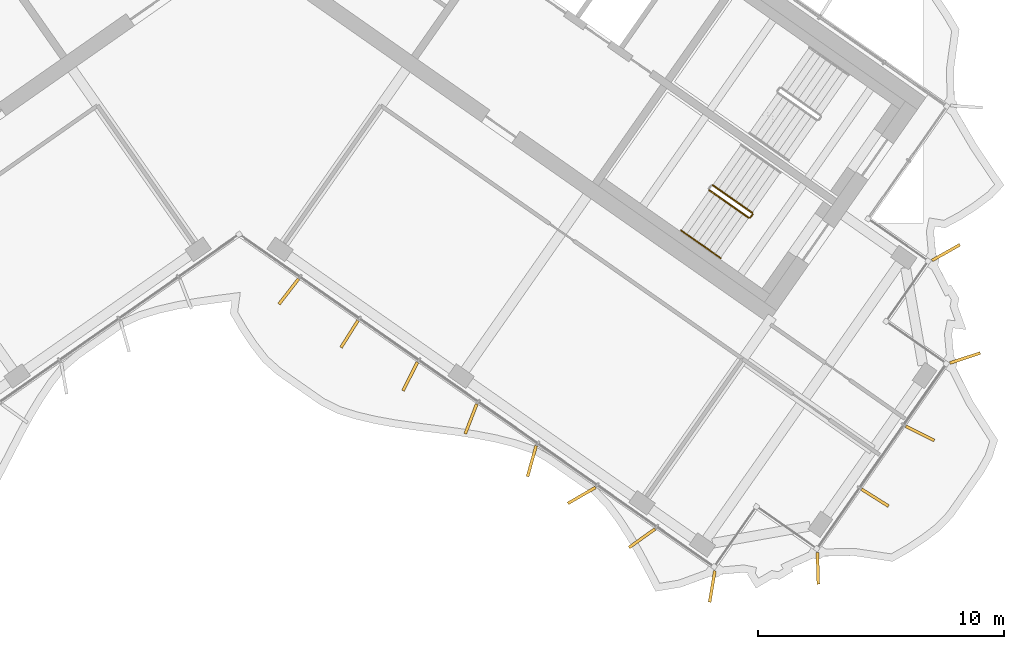
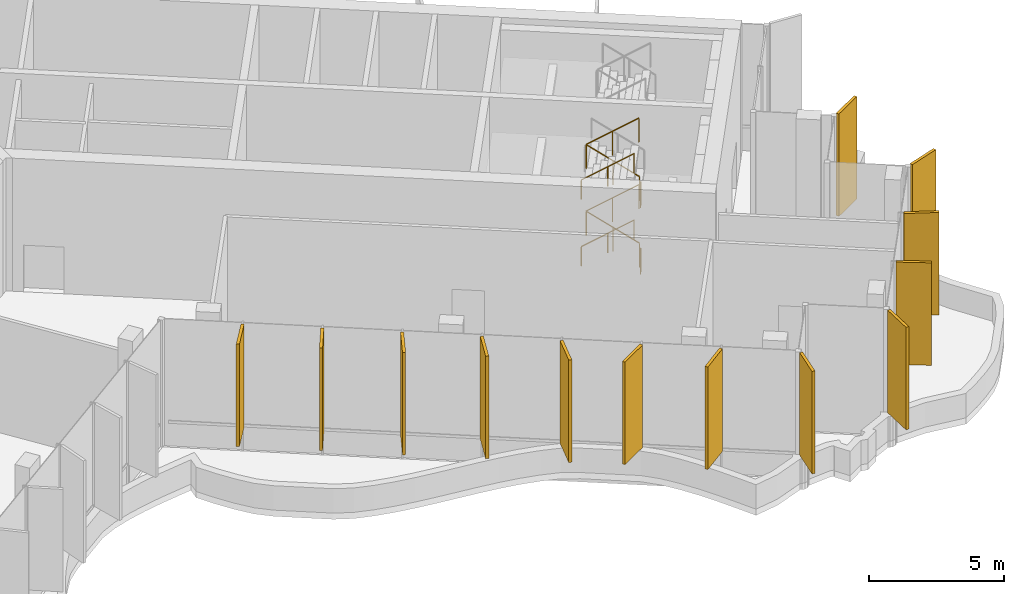
# One storey, part 16 of 18: 13 shading devices, 8 railings.
"""IFC4 building model written with IfcOpenShell, lengths in metres."""

from ifc_helpers import new_model, si_unit, direction, frame, origin, origin_2d, place, context, subcontext, project, spatial, rectangle, circle, extrude, material, layer, layer_set, type_object, element, save


model = new_model("IFC4")

# Units and contexts
model_context = context("Model", 3, precision=1e-05, world=origin(), true_north=direction((0.0, 1.0)))
body_context = subcontext(model_context, "Body", "Model", "MODEL_VIEW")
ifc_project = project(units=[si_unit("LENGTHUNIT", "METRE"), si_unit("AREAUNIT", "SQUARE_METRE"), si_unit("VOLUMEUNIT", "CUBIC_METRE"), si_unit("PLANEANGLEUNIT", "RADIAN"), si_unit("MASSUNIT", "GRAM", prefix="KILO")], contexts=[model_context])

# Site, building, storey
site_placement = place(None, origin())
site = spatial("IfcSite", under=ifc_project, at=site_placement, CompositionType="ELEMENT")
building_placement = place(site_placement, origin())
building = spatial("IfcBuilding", under=site, at=building_placement, Name="Tel Ilan Convention Tower", CompositionType="ELEMENT")
storey_placement = place(building_placement, frame((0.0, 0.0, 307.300048828125)))
storey = spatial("IfcBuildingStorey", under=building, at=storey_placement, Name="L73", CompositionType="ELEMENT", Elevation=307.300048828125)

# Shading devices
ifc_material_1 = material(Name="Aluminium, bronze anodised", Category="aluminium")
ifc_layer = layer(ifc_material_1, 0.1201171875)
ifc_layer_set = layer_set([ifc_layer], Name="FIN BRONZE 1300x120")
shading_device_type = type_object("IfcShadingDeviceType", Name="FIN BRONZE 1300x120", PredefinedType="USERDEFINED", material=ifc_layer_set)
for number, where, z_axis, x_axis, name in (
    (1, (2.021728515625, -15.029296875, 1.099853515625), (0.0, 0.0, 1.0), (-0.612600545196, -0.790392669516, 0.0), "FIN"),
    (2, (4.494873046875, -16.760986328125, 1.099853515625), (0.0, 0.0, 1.0), (-0.533204432798, -0.845986425922, 0.0), "FIN"),
    (3, (6.9677734375, -18.4921875, 1.099853515625), (0.0, 0.0, 1.0), (-0.448799180206, -0.893632640321, 0.0), "FIN"),
    (4, (9.443603515625, -20.2177734375, 1.099853515625), (0.0, 0.0, 1.0), (-0.360177724803, -0.932883704733, 0.0), "FIN"),
    (5, (11.92138671875, -21.937744140625, 1.099853515625), (0.0, 0.0, 1.0), (-0.268172612768, -0.963370878614, 0.0), "FIN"),
    (6, (13.951171875, -23.33642578125, 1.099853515625), (0.0, 0.0, 1.0), (-0.866025403784, -0.5, 0.0), "FIN"),
    (7, (16.40966796875, -25.080322265625, 1.099853515625), (0.0, 0.0, 1.0), (-0.813552070258, -0.581492071294, 0.0), "FIN"),
    (8, (19.267822265625, -27.042236328125, 1.099853515625), (0.0, 0.0, 1.0), (-0.16409119891, -0.986445172547, 0.0), "FIN"),
    (9, (23.569580078125, -26.302978515625, 1.099853515625), (0.0, 0.0, 1.0), (0.029084718749, -0.999576950082, 0.0), "FIN"),
    (10, (25.8984375, -23.426513671875, 1.099853515625), (0.0, 0.0, 1.0), (0.845986425922, -0.533204432798, 0.0), "FIN"),
    (11, (27.7314453125, -20.808349609375, 1.099853515625), (0.0, 0.0, 1.0), (0.893632640321, -0.448799180206, 0.0), "FIN"),
    (12, (29.566162109375, -17.7392578125, 1.099853515625), (0.0, 0.0, 1.0), (0.949242643575, 0.314544756146, 0.0), "FIN"),
    (13, (28.78955078125, -13.444091796875, 1.099853515625), (0.0, 0.0, 1.0), (0.870832754082, 0.491579408049, 0.0), "FIN"),
):
    element("IfcShadingDevice", number, at=place(storey_placement, frame(where, z_axis=z_axis, x_axis=x_axis)), inside=storey, type_object=shading_device_type, Name=name, ObjectType="FIN", PredefinedType="USERDEFINED", context=body_context, shape_type="SweptSolid", body=[
        extrude(rectangle(XDim=1.300048828125, YDim=0.1201171875, at=origin_2d()), origin(), (0.0, 0.0, 1.0), 4.6201171875),
    ])

# Railings
ifc_material_2 = material(Name="Stainless Steel Grade 316", Category="steel")
railing_type_1 = type_object("IfcRailingType", Name="Stainless Steel Stair Guard 1100 mm", PredefinedType="GUARDRAIL", material=ifc_material_2)
railing_1_placement = place(storey_placement, frame((20.89697265625, -11.824462890625, 0.1875)))
element("IfcRailing", 14, at=railing_1_placement, inside=storey, type_object=railing_type_1, Name="L73 S4 stair guard 1", PredefinedType="GUARDRAIL", context=body_context, shape_type="SweptSolid", body=[
    extrude(circle(Radius=0.02392578125, at=origin_2d()), frame((0.0, 0.0, 1.076171875), z_axis=(-0.680615610069, 0.476617226942, 0.556415681224), x_axis=(-0.573612813533, -0.819126571508, 0.0)), (0.0, 0.0, 1.0), 2.35888671875),
    extrude(circle(Radius=0.02099609375, at=origin_2d()), origin(), (0.0, 0.0, 1.0), 1.052001953125),
    extrude(circle(Radius=0.02099609375, at=origin_2d()), frame((-0.802734375, 0.56201171875, 0.65625)), (0.0, 0.0, 1.0), 1.052001953125),
    extrude(circle(Radius=0.02099609375, at=origin_2d()), frame((-1.60546875, 1.124267578125, 1.3125)), (0.0, 0.0, 1.0), 1.052001953125),
])
railing_2_placement = place(storey_placement, frame((19.14794921875, -10.905029296875, 1.6875)))
element("IfcRailing", 15, at=railing_2_placement, inside=storey, type_object=railing_type_1, Name="L73 S4 stair guard 3", PredefinedType="GUARDRAIL", context=body_context, shape_type="SweptSolid", body=[
    extrude(circle(Radius=0.02392578125, at=origin_2d()), frame((0.0, 0.0, 1.076171875), z_axis=(0.680671159075, -0.476583653268, 0.55637648642), x_axis=(0.573554290663, 0.819167550421, 0.0)), (0.0, 0.0, 1.0), 2.359130859375),
    extrude(circle(Radius=0.02099609375, at=origin_2d()), origin(), (0.0, 0.0, 1.0), 1.052001953125),
    extrude(circle(Radius=0.02099609375, at=origin_2d()), frame((0.802734375, -0.56201171875, 0.65625)), (0.0, 0.0, 1.0), 1.052001953125),
    extrude(circle(Radius=0.02099609375, at=origin_2d()), frame((1.605712890625, -1.124267578125, 1.3125)), (0.0, 0.0, 1.0), 1.052001953125),
])
railing_3_placement = place(storey_placement, frame((20.9091796875, -11.89404296875, 3.0)))
element("IfcRailing", 16, at=railing_3_placement, inside=storey, type_object=railing_type_1, Name="L73 S4 stair guard 4", PredefinedType="GUARDRAIL", context=body_context, shape_type="SweptSolid", body=[
    extrude(circle(Radius=0.02392578125, at=origin_2d()), frame((0.0, 0.0, 1.076171875), z_axis=(-0.573353020881, -0.819308436089, 0.0), x_axis=(0.819308436089, -0.573353020881, 0.0)), (0.0, 0.0, 1.0), 0.14990234375),
    extrude(circle(Radius=0.02099609375, at=origin_2d()), origin(), (0.0, 0.0, 1.0), 1.052001953125),
    extrude(circle(Radius=0.02099609375, at=origin_2d()), frame((-0.0859375, -0.122802734375, 0.0)), (0.0, 0.0, 1.0), 1.052001953125),
])
railing_4_placement = place(storey_placement, frame((20.89697265625, -11.824462890625, 3.1875)))
element("IfcRailing", 17, at=railing_4_placement, inside=storey, type_object=railing_type_1, Name="L73 S4 stair guard 5", PredefinedType="GUARDRAIL", context=body_context, shape_type="SweptSolid", body=[
    extrude(circle(Radius=0.02392578125, at=origin_2d()), frame((0.0, 0.0, 1.076171875), z_axis=(-0.680615610069, 0.476617226942, 0.556415681224), x_axis=(-0.573612813533, -0.819126571508, 0.0)), (0.0, 0.0, 1.0), 2.35888671875),
    extrude(circle(Radius=0.02099609375, at=origin_2d()), origin(), (0.0, 0.0, 1.0), 1.052001953125),
    extrude(circle(Radius=0.02099609375, at=origin_2d()), frame((-0.802734375, 0.56201171875, 0.65625)), (0.0, 0.0, 1.0), 1.052001953125),
    extrude(circle(Radius=0.02099609375, at=origin_2d()), frame((-1.60546875, 1.124267578125, 1.3125)), (0.0, 0.0, 1.0), 1.052001953125),
])
railing_5_placement = place(storey_placement, frame((19.14794921875, -10.905029296875, 4.6875)))
element("IfcRailing", 18, at=railing_5_placement, inside=storey, type_object=railing_type_1, Name="L73 S4 stair guard 7", PredefinedType="GUARDRAIL", context=body_context, shape_type="SweptSolid", body=[
    extrude(circle(Radius=0.02392578125, at=origin_2d()), frame((0.0, 0.0, 1.076171875), z_axis=(0.680671159075, -0.476583653268, 0.55637648642), x_axis=(0.573554290663, 0.819167550421, 0.0)), (0.0, 0.0, 1.0), 2.359130859375),
    extrude(circle(Radius=0.02099609375, at=origin_2d()), origin(), (0.0, 0.0, 1.0), 1.052001953125),
    extrude(circle(Radius=0.02099609375, at=origin_2d()), frame((0.802734375, -0.56201171875, 0.65625)), (0.0, 0.0, 1.0), 1.052001953125),
    extrude(circle(Radius=0.02099609375, at=origin_2d()), frame((1.605712890625, -1.124267578125, 1.3125)), (0.0, 0.0, 1.0), 1.052001953125),
])
railing_6_placement = place(storey_placement, frame((20.9091796875, -11.89404296875, 0.0)))
element("IfcRailing", 19, at=railing_6_placement, inside=storey, type_object=railing_type_1, Name="L73 S4 stair guard 8", PredefinedType="GUARDRAIL", context=body_context, shape_type="SweptSolid", body=[
    extrude(circle(Radius=0.02392578125, at=origin_2d()), frame((0.0, 0.0, 1.076171875), z_axis=(-0.573353020881, -0.819308436089, 0.0), x_axis=(0.819308436089, -0.573353020881, 0.0)), (0.0, 0.0, 1.0), 0.14990234375),
    extrude(circle(Radius=0.02099609375, at=origin_2d()), origin(), (0.0, 0.0, 1.0), 1.052001953125),
    extrude(circle(Radius=0.02099609375, at=origin_2d()), frame((-0.0859375, -0.122802734375, 0.0)), (0.0, 0.0, 1.0), 1.052001953125),
])
ifc_material_3 = material(Name="Stainless Steel Grade 316", Category="steel")
railing_type_2 = type_object("IfcRailingType", Name="Stainless Steel Stair Handrail 900 mm", PredefinedType="HANDRAIL", material=ifc_material_3)
for number, where, name in (
    (20, (18.0009765625, -12.543212890625, 1.6875), "L73 S4 stair handrail 2"),
    (21, (18.0009765625, -12.543212890625, 4.6875), "L73 S4 stair handrail 4"),
):
    element("IfcRailing", number, at=place(storey_placement, frame(where)), inside=storey, type_object=railing_type_2, Name=name, PredefinedType="HANDRAIL", context=body_context, shape_type="SweptSolid", body=[
        extrude(circle(Radius=0.02392578125, at=origin_2d()), frame((0.0, 0.0, 0.8759765625), z_axis=(0.680615610069, -0.476617226942, 0.556415681224), x_axis=(0.573612813533, 0.819126571508, 0.0)), (0.0, 0.0, 1.0), 2.35888671875),
        extrude(circle(Radius=0.02099609375, at=origin_2d()), origin(), (0.0, 0.0, 1.0), 0.851806640625),
        extrude(circle(Radius=0.02099609375, at=origin_2d()), frame((0.802734375, -0.56201171875, 0.65625)), (0.0, 0.0, 1.0), 0.851806640625),
        extrude(circle(Radius=0.02099609375, at=origin_2d()), frame((1.60546875, -1.124267578125, 1.3125)), (0.0, 0.0, 1.0), 0.851806640625),
    ])

save(model, "model.ifc")
